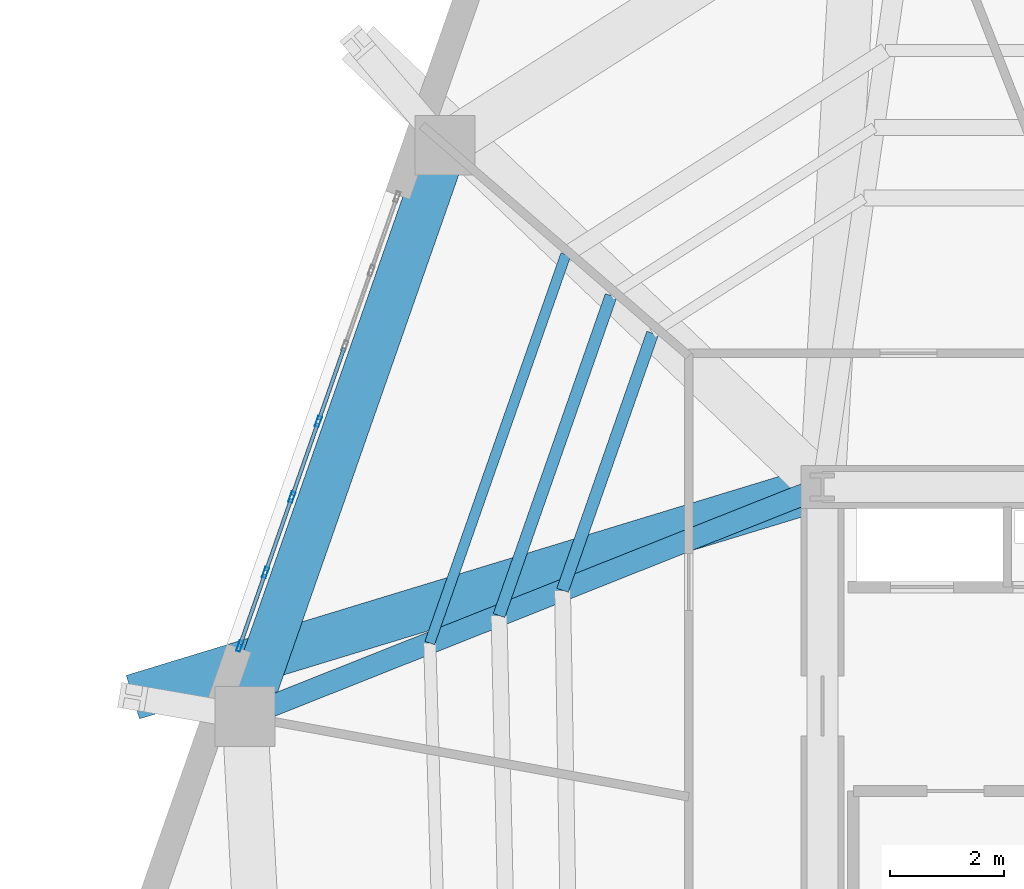
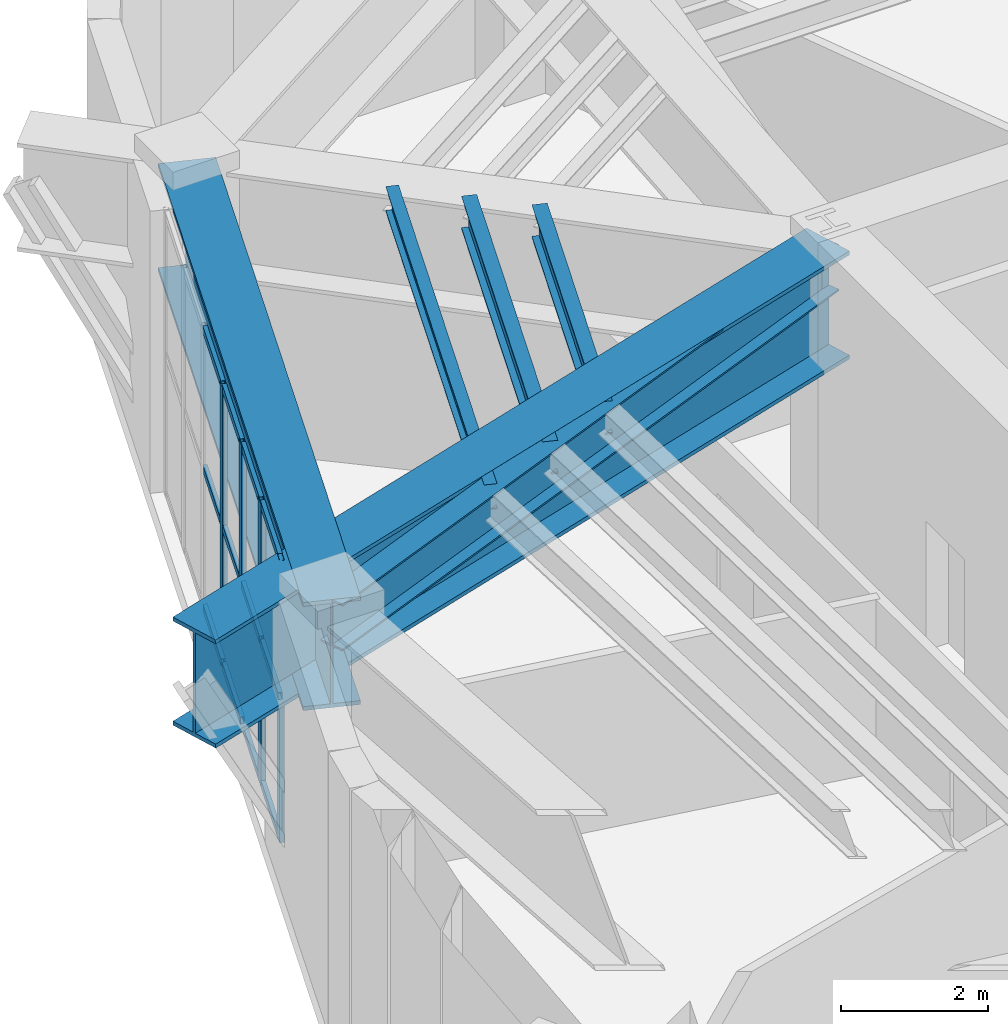
# One storey, part 4 of 18: 16 members, 6 beams, 1 element without a shape of its own.
"""IFC4 building model written with IfcOpenShell, lengths in metres."""

from ifc_helpers import new_model, si_unit, direction, frame, origin, origin_2d, place, context, subcontext, project, spatial, hollow_rectangle, i_section, extrude, material, layer, layer_set, material_profile, profile_set, type_object, element, aggregate, save


model = new_model("IFC4")

# Units and contexts
model_context = context("Model", 3, precision=1e-05, world=origin(), true_north=direction((0.0, 1.0)))
body_context = subcontext(model_context, "Body", "Model", "MODEL_VIEW")
ifc_project = project(units=[si_unit("LENGTHUNIT", "METRE"), si_unit("AREAUNIT", "SQUARE_METRE"), si_unit("VOLUMEUNIT", "CUBIC_METRE"), si_unit("PLANEANGLEUNIT", "RADIAN"), si_unit("MASSUNIT", "GRAM", prefix="KILO")], contexts=[model_context])

# Site, building, storey
site_placement = place(None, origin())
site = spatial("IfcSite", under=ifc_project, at=site_placement, CompositionType="ELEMENT")
building_placement = place(site_placement, origin())
building = spatial("IfcBuilding", under=site, at=building_placement, Name="Kilnhurst Terrace Hotel", CompositionType="ELEMENT")
storey_placement = place(building_placement, frame((0.0, 0.0, 201.5)))
storey = spatial("IfcBuildingStorey", under=building, at=storey_placement, Name="L50", CompositionType="ELEMENT", Elevation=201.5)

# Beams
ifc_material_1 = material(Name="Steel ASTM A992 Grade 50", Category="steel")
ifc_material_profile_1 = material_profile(ifc_material_1, i_section(OverallWidth=0.380615234375, OverallDepth=0.773193359375, WebThickness=0.0166015625, FlangeThickness=0.027099609375, at=origin_2d()), Name="W30X173")
ifc_profile_set_1 = profile_set([ifc_material_profile_1], Name="Steel ASTM A992 Grade 50")
beam_type_1 = type_object("IfcBeamType", Name="BM-STL-W30X173", PredefinedType="BEAM", material=ifc_profile_set_1)
beam_1_placement = place(storey_placement, frame((-9.0, 7.5, 4.31298828125), z_axis=(-0.929302373458, -0.369319778356, 0.0), x_axis=(0.369319778356, -0.929302373458, 0.0)))
element("IfcBeam", 1, at=beam_1_placement, inside=storey, type_object=beam_type_1, Name="L50 Radial Floor Beam 10", PredefinedType="BEAM", context=body_context, shape_type="SweptSolid", body=[
    extrude(i_section(OverallWidth=0.380615234375, OverallDepth=0.773193359375, WebThickness=0.0166015625, FlangeThickness=0.027099609375, at=origin_2d()), origin(), (0.0, 0.0, 1.0), 10.919921875),
])
ifc_material_profile_2 = material_profile(ifc_material_1, i_section(OverallWidth=0.180908203125, OverallDepth=0.417236328125, WebThickness=0.010986328125, FlangeThickness=0.018310546875, at=origin_2d()), Name="W16X57")
ifc_profile_set_2 = profile_set([ifc_material_profile_2], Name="Steel ASTM A992 Grade 50")
beam_type_2 = type_object("IfcBeamType", Name="JST-STL-W16X57", PredefinedType="JOIST", material=ifc_profile_set_2)
beam_2_placement = place(storey_placement, frame((-13.510498046875, 11.58349609375, 4.490966796875), z_axis=(-0.330481239411, -0.943812561051, 0.0), x_axis=(0.943812561051, -0.330481239411, 0.0)))
element("IfcBeam", 2, at=beam_2_placement, inside=storey, type_object=beam_type_2, Name="L50 Secondary Floor Steel Joist OUT.9", PredefinedType="JOIST", context=body_context, shape_type="SweptSolid", body=[
    extrude(i_section(OverallWidth=0.180908203125, OverallDepth=0.417236328125, WebThickness=0.010986328125, FlangeThickness=0.018310546875, at=origin_2d()), origin(), (0.0, 0.0, 1.0), 7.232177734375),
])
ifc_material_profile_3 = material_profile(ifc_material_1, i_section(OverallWidth=0.2138671875, OverallDepth=0.549072265625, WebThickness=0.0146484375, FlangeThickness=0.023681640625, at=origin_2d()), Name="W21X93")
ifc_profile_set_3 = profile_set([ifc_material_profile_3], Name="Steel ASTM A992 Grade 50")
beam_type_3 = type_object("IfcBeamType", Name="JST-STL-W21X93", PredefinedType="JOIST", material=ifc_profile_set_3)
beam_3_placement = place(storey_placement, frame((-11.98486328125, 10.2021484375, 4.425048828125), z_axis=(-0.330516298629, -0.943800284139, 0.0), x_axis=(0.943800284139, -0.330516298629, 0.0)))
element("IfcBeam", 3, at=beam_3_placement, inside=storey, type_object=beam_type_3, Name="L50 Secondary Floor Steel Joist IN.9", PredefinedType="JOIST", context=body_context, shape_type="SweptSolid", body=[
    extrude(i_section(OverallWidth=0.2138671875, OverallDepth=0.549072265625, WebThickness=0.0146484375, FlangeThickness=0.023681640625, at=origin_2d()), origin(), (0.0, 0.0, 1.0), 4.785888671875),
])
beam_4_placement = place(storey_placement, frame((-12.714599609375, 10.86279296875, 4.425048828125), z_axis=(-0.330469104178, -0.943816810183, 0.0), x_axis=(0.943816810183, -0.330469104178, 0.0)))
element("IfcBeam", 4, at=beam_4_placement, inside=storey, type_object=beam_type_3, Name="L50 Secondary Floor Steel Joist MID.9", PredefinedType="JOIST", context=body_context, shape_type="SweptSolid", body=[
    extrude(i_section(OverallWidth=0.2138671875, OverallDepth=0.549072265625, WebThickness=0.0146484375, FlangeThickness=0.023681640625, at=origin_2d()), origin(), (0.0, 0.0, 1.0), 5.9560546875),
])

# Curtain wall, members
ifc_material_2 = material(Name="Anodized Aluminium Alloy 6063-T6 and Low-E Glass", Category="aluminium")
ifc_layer = layer(ifc_material_2, 0.219970703125, Name="Anodized Aluminium Alloy 6063-T6 and Low-E Glass")
ifc_layer_set = layer_set([ifc_layer], Name="Anodized Aluminium Alloy 6063-T6 and Low-E Glass")
curtain_wall_type = type_object("IfcCurtainWallType", Name="CW-SPA-L50", PredefinedType="NOTDEFINED", material=ifc_layer_set)
curtain_wall_placement = place(storey_placement, origin())
curtain_wall = element("IfcCurtainWall", 5, at=curtain_wall_placement, inside=storey, type_object=curtain_wall_type, Name="L50 Curtain Wall CW-L50-F5-1", PredefinedType="NOTDEFINED")
ifc_material_3 = material(Name="Extruded Aluminium Alloy 6063-T6", Category="aluminium")
ifc_material_profile_4 = material_profile(ifc_material_3, hollow_rectangle(XDim=0.070068359375, YDim=0.18994140625, WallThickness=0.00390625, at=origin_2d()), Name="CWM70X190")
ifc_profile_set_4 = profile_set([ifc_material_profile_4], Name="Extruded Aluminium Alloy 6063-T6")
member_type_1 = type_object("IfcMemberType", Name="MEM-CWM70X190", PredefinedType="MULLION", material=ifc_profile_set_4)
member_1_placement = place(storey_placement, frame((-17.85791015625, 8.64990234375, 0.0), z_axis=(0.0, 0.0, 1.0), x_axis=(0.943826380497, -0.330441770176, 0.0)))
member_1 = element("IfcMember", 6, at=member_1_placement, type_object=member_type_1, Name="CWA-4 mullion 4", PredefinedType="MULLION", context=body_context, shape_type="SweptSolid", body=[
    extrude(hollow_rectangle(XDim=0.070068359375, YDim=0.18994140625, WallThickness=0.00390625, at=origin_2d()), origin(), (0.0, 0.0, 1.0), 4.699951171875),
])
member_2_placement = place(storey_placement, frame((-18.322509765625, 7.32275390625, 0.0), z_axis=(0.0, 0.0, 1.0), x_axis=(0.943826380497, -0.330441770176, 0.0)))
member_2 = element("IfcMember", 7, at=member_2_placement, type_object=member_type_1, Name="CWA-4 mullion 5", PredefinedType="MULLION", context=body_context, shape_type="SweptSolid", body=[
    extrude(hollow_rectangle(XDim=0.070068359375, YDim=0.18994140625, WallThickness=0.00390625, at=origin_2d()), origin(), (0.0, 0.0, 1.0), 4.699951171875),
])
member_3_placement = place(storey_placement, frame((-18.787109375, 5.995849609375, 0.0), z_axis=(0.0, 0.0, 1.0), x_axis=(0.943826380497, -0.330441770176, 0.0)))
member_3 = element("IfcMember", 8, at=member_3_placement, type_object=member_type_1, Name="CWA-4 mullion 6", PredefinedType="MULLION", context=body_context, shape_type="SweptSolid", body=[
    extrude(hollow_rectangle(XDim=0.070068359375, YDim=0.18994140625, WallThickness=0.00390625, at=origin_2d()), origin(), (0.0, 0.0, 1.0), 4.699951171875),
])
member_4_placement = place(storey_placement, frame((-19.239990234375, 4.701904296875, 0.0), z_axis=(0.0, 0.0, 1.0), x_axis=(0.943826380497, -0.330441770176, 0.0)))
member_4 = element("IfcMember", 9, at=member_4_placement, type_object=member_type_1, Name="CWA-4 mullion 7", PredefinedType="MULLION", context=body_context, shape_type="SweptSolid", body=[
    extrude(hollow_rectangle(XDim=0.070068359375, YDim=0.18994140625, WallThickness=0.00390625, at=origin_2d()), origin(), (0.0, 0.0, 1.0), 4.699951171875),
])
ifc_material_profile_5 = material_profile(ifc_material_3, hollow_rectangle(XDim=0.06494140625, YDim=0.1201171875, WallThickness=0.00341796875, at=origin_2d()), Name="CWT65X120")
ifc_profile_set_5 = profile_set([ifc_material_profile_5], Name="Extruded Aluminium Alloy 6063-T6")
member_type_2 = type_object("IfcMemberType", Name="MEM-CWT65X120", PredefinedType="USERDEFINED", material=ifc_profile_set_5)
member_5_placement = place(storey_placement, frame((-17.40478515625, 9.94384765625, 0.032470703125), z_axis=(-0.330391123408, -0.943844110843, 0.0), x_axis=(0.943844110843, -0.330391123408, 0.0)))
member_5 = element("IfcMember", 10, at=member_5_placement, type_object=member_type_2, Name="CWA-4 transom 3.1", ObjectType="TRANSOM", PredefinedType="USERDEFINED", context=body_context, shape_type="SweptSolid", body=[
    extrude(hollow_rectangle(XDim=0.06494140625, YDim=0.1201171875, WallThickness=0.00341796875, at=origin_2d()), origin(), (0.0, 0.0, 1.0), 1.3359375),
])
member_6_placement = place(storey_placement, frame((-17.40478515625, 9.94384765625, 2.35009765625), z_axis=(-0.330391123408, -0.943844110843, 0.0), x_axis=(0.943844110843, -0.330391123408, 0.0)))
member_6 = element("IfcMember", 11, at=member_6_placement, type_object=member_type_2, Name="CWA-4 transom 3.2", ObjectType="TRANSOM", PredefinedType="USERDEFINED", context=body_context, shape_type="SweptSolid", body=[
    extrude(hollow_rectangle(XDim=0.06494140625, YDim=0.1201171875, WallThickness=0.00341796875, at=origin_2d()), origin(), (0.0, 0.0, 1.0), 1.3359375),
])
member_7_placement = place(storey_placement, frame((-17.40478515625, 9.94384765625, 4.66748046875), z_axis=(-0.330391123408, -0.943844110843, 0.0), x_axis=(0.943844110843, -0.330391123408, 0.0)))
member_7 = element("IfcMember", 12, at=member_7_placement, type_object=member_type_2, Name="CWA-4 transom 3.3", ObjectType="TRANSOM", PredefinedType="USERDEFINED", context=body_context, shape_type="SweptSolid", body=[
    extrude(hollow_rectangle(XDim=0.06494140625, YDim=0.1201171875, WallThickness=0.00341796875, at=origin_2d()), origin(), (0.0, 0.0, 1.0), 1.3359375),
])
member_8_placement = place(storey_placement, frame((-17.869384765625, 8.61669921875, 0.032470703125), z_axis=(-0.330448117378, -0.943824158263, 0.0), x_axis=(0.943824158263, -0.330448117378, 0.0)))
member_8 = element("IfcMember", 13, at=member_8_placement, type_object=member_type_2, Name="CWA-4 transom 4.1", ObjectType="TRANSOM", PredefinedType="USERDEFINED", context=body_context, shape_type="SweptSolid", body=[
    extrude(hollow_rectangle(XDim=0.06494140625, YDim=0.1201171875, WallThickness=0.00341796875, at=origin_2d()), origin(), (0.0, 0.0, 1.0), 1.335693359375),
])
member_9_placement = place(storey_placement, frame((-17.869384765625, 8.61669921875, 2.35009765625), z_axis=(-0.330448117378, -0.943824158263, 0.0), x_axis=(0.943824158263, -0.330448117378, 0.0)))
member_9 = element("IfcMember", 14, at=member_9_placement, type_object=member_type_2, Name="CWA-4 transom 4.2", ObjectType="TRANSOM", PredefinedType="USERDEFINED", context=body_context, shape_type="SweptSolid", body=[
    extrude(hollow_rectangle(XDim=0.06494140625, YDim=0.1201171875, WallThickness=0.00341796875, at=origin_2d()), origin(), (0.0, 0.0, 1.0), 1.335693359375),
])
member_10_placement = place(storey_placement, frame((-17.869384765625, 8.61669921875, 4.66748046875), z_axis=(-0.330448117378, -0.943824158263, 0.0), x_axis=(0.943824158263, -0.330448117378, 0.0)))
member_10 = element("IfcMember", 15, at=member_10_placement, type_object=member_type_2, Name="CWA-4 transom 4.3", ObjectType="TRANSOM", PredefinedType="USERDEFINED", context=body_context, shape_type="SweptSolid", body=[
    extrude(hollow_rectangle(XDim=0.06494140625, YDim=0.1201171875, WallThickness=0.00341796875, at=origin_2d()), origin(), (0.0, 0.0, 1.0), 1.335693359375),
])
member_11_placement = place(storey_placement, frame((-18.333984375, 7.289794921875, 0.032470703125), z_axis=(-0.330391123408, -0.943844110843, 0.0), x_axis=(0.943844110843, -0.330391123408, 0.0)))
member_11 = element("IfcMember", 16, at=member_11_placement, type_object=member_type_2, Name="CWA-4 transom 5.1", ObjectType="TRANSOM", PredefinedType="USERDEFINED", context=body_context, shape_type="SweptSolid", body=[
    extrude(hollow_rectangle(XDim=0.06494140625, YDim=0.1201171875, WallThickness=0.00341796875, at=origin_2d()), origin(), (0.0, 0.0, 1.0), 1.3359375),
])
member_12_placement = place(storey_placement, frame((-18.333984375, 7.289794921875, 2.35009765625), z_axis=(-0.330391123408, -0.943844110843, 0.0), x_axis=(0.943844110843, -0.330391123408, 0.0)))
member_12 = element("IfcMember", 17, at=member_12_placement, type_object=member_type_2, Name="CWA-4 transom 5.2", ObjectType="TRANSOM", PredefinedType="USERDEFINED", context=body_context, shape_type="SweptSolid", body=[
    extrude(hollow_rectangle(XDim=0.06494140625, YDim=0.1201171875, WallThickness=0.00341796875, at=origin_2d()), origin(), (0.0, 0.0, 1.0), 1.3359375),
])
member_13_placement = place(storey_placement, frame((-18.333984375, 7.289794921875, 4.66748046875), z_axis=(-0.330391123408, -0.943844110843, 0.0), x_axis=(0.943844110843, -0.330391123408, 0.0)))
member_13 = element("IfcMember", 18, at=member_13_placement, type_object=member_type_2, Name="CWA-4 transom 5.3", ObjectType="TRANSOM", PredefinedType="USERDEFINED", context=body_context, shape_type="SweptSolid", body=[
    extrude(hollow_rectangle(XDim=0.06494140625, YDim=0.1201171875, WallThickness=0.00341796875, at=origin_2d()), origin(), (0.0, 0.0, 1.0), 1.3359375),
])
member_14_placement = place(storey_placement, frame((-18.798583984375, 5.962890625, 0.032470703125), z_axis=(-0.330434004716, -0.943829099216, 0.0), x_axis=(0.943829099216, -0.330434004716, 0.0)))
member_14 = element("IfcMember", 19, at=member_14_placement, type_object=member_type_2, Name="CWA-4 transom 6.1", ObjectType="TRANSOM", PredefinedType="USERDEFINED", context=body_context, shape_type="SweptSolid", body=[
    extrude(hollow_rectangle(XDim=0.06494140625, YDim=0.1201171875, WallThickness=0.00341796875, at=origin_2d()), origin(), (0.0, 0.0, 1.0), 1.301025390625),
])
member_15_placement = place(storey_placement, frame((-18.798583984375, 5.962890625, 2.35009765625), z_axis=(-0.330434004716, -0.943829099216, 0.0), x_axis=(0.943829099216, -0.330434004716, 0.0)))
member_15 = element("IfcMember", 20, at=member_15_placement, type_object=member_type_2, Name="CWA-4 transom 6.2", ObjectType="TRANSOM", PredefinedType="USERDEFINED", context=body_context, shape_type="SweptSolid", body=[
    extrude(hollow_rectangle(XDim=0.06494140625, YDim=0.1201171875, WallThickness=0.00341796875, at=origin_2d()), origin(), (0.0, 0.0, 1.0), 1.301025390625),
])
member_16_placement = place(storey_placement, frame((-18.798583984375, 5.962890625, 4.66748046875), z_axis=(-0.330434004716, -0.943829099216, 0.0), x_axis=(0.943829099216, -0.330434004716, 0.0)))
member_16 = element("IfcMember", 21, at=member_16_placement, type_object=member_type_2, Name="CWA-4 transom 6.3", ObjectType="TRANSOM", PredefinedType="USERDEFINED", context=body_context, shape_type="SweptSolid", body=[
    extrude(hollow_rectangle(XDim=0.06494140625, YDim=0.1201171875, WallThickness=0.00341796875, at=origin_2d()), origin(), (0.0, 0.0, 1.0), 1.301025390625),
])
aggregate(curtain_wall, [member_1, member_2, member_3, member_4, member_5, member_6, member_7, member_8, member_9, member_10, member_11, member_12, member_13, member_14, member_15, member_16])

# Beams
ifc_material_4 = material(Name="Steel ASTM A572 Grade 50", Category="steel")
ifc_material_profile_6 = material_profile(ifc_material_4, i_section(OverallWidth=0.800048828125, OverallDepth=1.800048828125, WebThickness=0.0400390625, FlangeThickness=0.06494140625, at=origin_2d()), Name="PG1800X800")
ifc_profile_set_6 = profile_set([ifc_material_profile_6], Name="Steel ASTM A572 Grade 50")
beam_type_4 = type_object("IfcBeamType", Name="TG-STEP-1800", PredefinedType="USERDEFINED", material=ifc_profile_set_6)
beam_5_placement = place(storey_placement, frame((-15.633056640625, 13.5048828125, 3.800048828125), z_axis=(-0.330488460168, -0.943810032632, 0.0), x_axis=(0.943810032632, -0.330488460168, 0.0)))
element("IfcBeam", 22, at=beam_5_placement, inside=storey, type_object=beam_type_4, Name="L50 Zone Step Perimeter Transfer Girder 9", ObjectType="GIRDER", PredefinedType="USERDEFINED", context=body_context, shape_type="SweptSolid", body=[
    extrude(i_section(OverallWidth=0.800048828125, OverallDepth=1.800048828125, WebThickness=0.0400390625, FlangeThickness=0.06494140625, at=origin_2d()), origin(), (0.0, 0.0, 1.0), 10.635498046875),
])
beam_6_placement = place(storey_placement, frame((-9.0, 7.5, 3.800048828125), z_axis=(-0.956562713724, -0.291526627793, 0.0), x_axis=(0.291526627793, -0.956562713724, 0.0)))
element("IfcBeam", 23, at=beam_6_placement, inside=storey, type_object=beam_type_4, Name="L50 Zone Flare Radial Transfer Girder 10", ObjectType="GIRDER", PredefinedType="USERDEFINED", context=body_context, shape_type="SweptSolid", body=[
    extrude(i_section(OverallWidth=0.800048828125, OverallDepth=1.800048828125, WebThickness=0.0400390625, FlangeThickness=0.06494140625, at=origin_2d()), origin(), (0.0, 0.0, 1.0), 12.668212890625),
])

save(model, "model.ifc")
